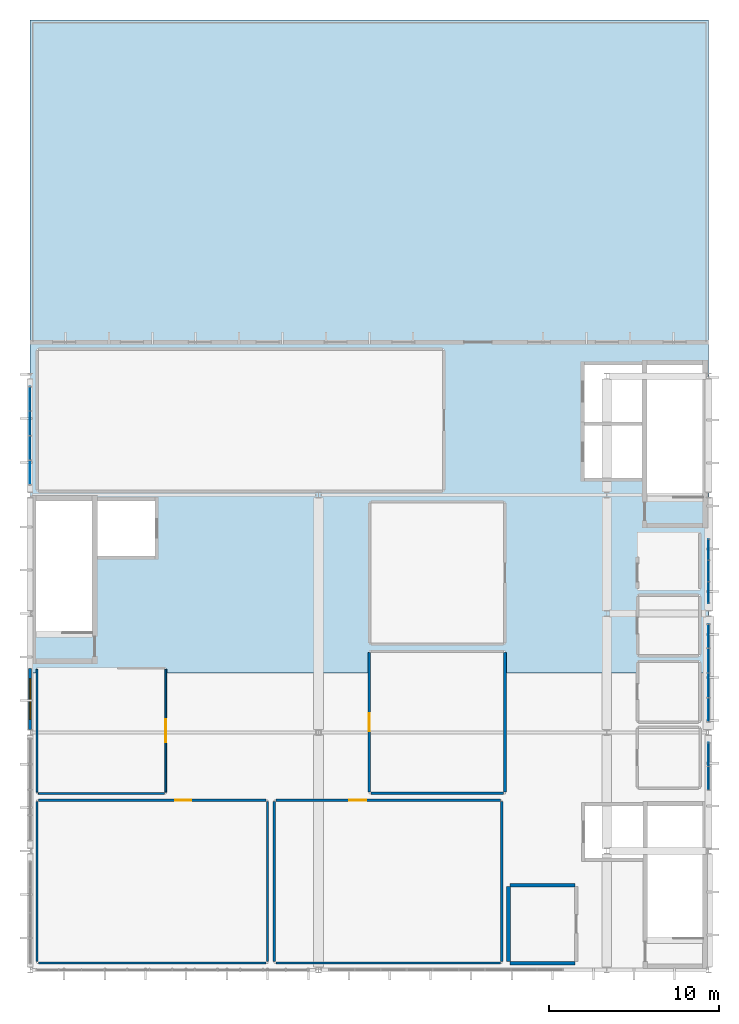
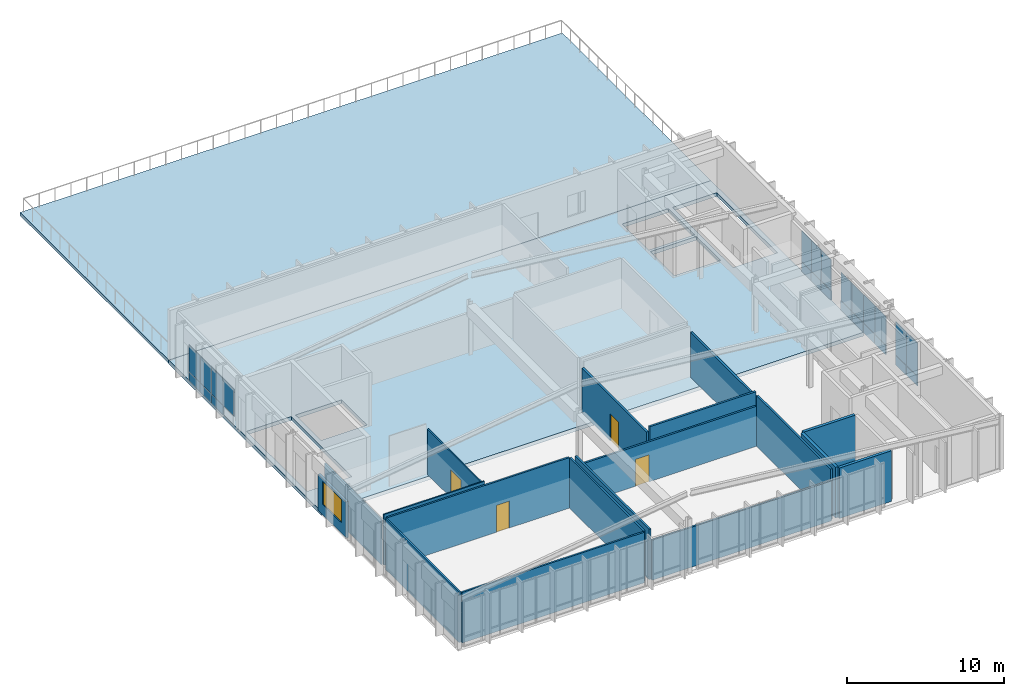
# One storey, part 12 of 16: 25 plates, 18 walls, 4 doors, 2 slabs, 1 window, 5 openings, 4 elements without a shape of their own.
"""IFC4 building model written with IfcOpenShell, lengths in metres."""

from ifc_helpers import new_model, si_unit, direction, frame, frame_2d, origin, origin_2d, place, context, subcontext, project, spatial, polyline, rectangle, outline, extrude, material, layer, layer_set, type_object, element, fill, aggregate, save


model = new_model("IFC4")

# Units and contexts
model_context = context("Model", 3, precision=1e-05, world=origin(), true_north=direction((0.0, 1.0)))
body_context = subcontext(model_context, "Body", "Model", "MODEL_VIEW")
ifc_project = project(units=[si_unit("LENGTHUNIT", "METRE"), si_unit("AREAUNIT", "SQUARE_METRE"), si_unit("VOLUMEUNIT", "CUBIC_METRE"), si_unit("PLANEANGLEUNIT", "RADIAN"), si_unit("MASSUNIT", "GRAM", prefix="KILO")], contexts=[model_context])

# Site, building, storey
site_placement = place(None, origin())
site = spatial("IfcSite", under=ifc_project, at=site_placement, CompositionType="ELEMENT")
building_placement = place(site_placement, origin())
building = spatial("IfcBuilding", under=site, at=building_placement, Name="Larkveld Mobility Hub", CompositionType="ELEMENT")
storey_placement = place(building_placement, frame((0.0, 0.0, 22.800048828125)))
storey = spatial("IfcBuildingStorey", under=building, at=storey_placement, Name="L06", CompositionType="ELEMENT", Elevation=22.800048828125)

# Curtain wall, plates
ifc_material_1 = material(Name="Anodised aluminium 6063-T6", Category="aluminium")
curtain_wall_type_1 = type_object("IfcCurtainWallType", Name="CW-SYS-07", PredefinedType="NOTDEFINED", material=ifc_material_1)
curtain_wall_1_placement = place(storey_placement, origin())
curtain_wall_1 = element("IfcCurtainWall", 1, at=curtain_wall_1_placement, inside=storey, type_object=curtain_wall_type_1, Name="Upper Mobility and Sports East Glazing L06 CW-175", PredefinedType="NOTDEFINED")
ifc_material_2 = material(Name="Low-E laminated solar-control double glazing", Category="glass")
ifc_layer_1 = layer(ifc_material_2, 0.028076171875, Name="Low-E laminated solar-control double glazing", Category="glass")
ifc_layer_set_1 = layer_set([ifc_layer_1], Name="Low-E laminated solar-control double glazing")
plate_type_1 = type_object("IfcPlateType", Name="CW-PNL-GL01", PredefinedType="CURTAIN_PANEL", material=ifc_layer_set_1)
plate_1_placement = place(storey_placement, frame((152.0, 43.3349609375, 0.743896484375), z_axis=(0.0, 0.0, 1.0), x_axis=(0.0, 1.0, 0.0)))
plate_1 = element("IfcPlate", 2, at=plate_1_placement, type_object=plate_type_1, Name="CW07 panel 1", PredefinedType="CURTAIN_PANEL", context=body_context, shape_type="SweptSolid", body=[
    extrude(rectangle(XDim=1.419921875, YDim=0.028076171875, at=origin_2d()), origin(), (0.0, 0.0, 1.0), 2.2041015625),
])
plate_2_placement = place(storey_placement, frame((152.0, 44.77490234375, 0.743896484375), z_axis=(0.0, 0.0, 1.0), x_axis=(0.0, 1.0, 0.0)))
plate_2 = element("IfcPlate", 3, at=plate_2_placement, type_object=plate_type_1, Name="CW07 panel 2", PredefinedType="CURTAIN_PANEL", context=body_context, shape_type="SweptSolid", body=[
    extrude(rectangle(XDim=1.43994140625, YDim=0.028076171875, at=origin_2d()), origin(), (0.0, 0.0, 1.0), 2.2041015625),
])
plate_3_placement = place(storey_placement, frame((152.0, 46.22509765625, 0.743896484375), z_axis=(0.0, 0.0, 1.0), x_axis=(0.0, 1.0, 0.0)))
plate_3 = element("IfcPlate", 4, at=plate_3_placement, type_object=plate_type_1, Name="CW07 panel 3", PredefinedType="CURTAIN_PANEL", context=body_context, shape_type="SweptSolid", body=[
    extrude(rectangle(XDim=1.43994140625, YDim=0.028076171875, at=origin_2d()), origin(), (0.0, 0.0, 1.0), 2.2041015625),
])
plate_4_placement = place(storey_placement, frame((152.0, 47.6650390625, 0.743896484375), z_axis=(0.0, 0.0, 1.0), x_axis=(0.0, 1.0, 0.0)))
plate_4 = element("IfcPlate", 5, at=plate_4_placement, type_object=plate_type_1, Name="CW07 panel 4", PredefinedType="CURTAIN_PANEL", context=body_context, shape_type="SweptSolid", body=[
    extrude(rectangle(XDim=1.419921875, YDim=0.028076171875, at=origin_2d()), origin(), (0.0, 0.0, 1.0), 2.2041015625),
])

curtain_wall_type_2 = type_object("IfcCurtainWallType", Name="CW-SYS-05", PredefinedType="NOTDEFINED", material=ifc_material_1)
curtain_wall_2_placement = place(storey_placement, origin())
curtain_wall_2 = element("IfcCurtainWall", 6, at=curtain_wall_2_placement, inside=storey, type_object=curtain_wall_type_2, Name="EV Wing West Glazing L06 CW-173", PredefinedType="NOTDEFINED")
ifc_material_3 = material(Name="Acoustic solar-control laminated double glazing", Category="glass")
ifc_layer_2 = layer(ifc_material_3, 0.031982421875, Name="Acoustic solar-control laminated double glazing", Category="glass")
ifc_layer_set_2 = layer_set([ifc_layer_2], Name="Acoustic solar-control laminated double glazing")
plate_type_2 = type_object("IfcPlateType", Name="CW-PNL-GL02", PredefinedType="CURTAIN_PANEL", material=ifc_layer_set_2)
plate_5_placement = place(storey_placement, frame((112.0, 61.6630859375, 0.70751953125), z_axis=(0.0, 0.0, 1.0), x_axis=(0.0, -1.0, 0.0)))
plate_5 = element("IfcPlate", 7, at=plate_5_placement, type_object=plate_type_2, Name="CW05 panel 1", PredefinedType="CURTAIN_PANEL", context=body_context, shape_type="SweptSolid", body=[
    extrude(rectangle(XDim=1.425048828125, YDim=0.031982421875, at=origin_2d()), origin(), (0.0, 0.0, 1.0), 2.091064453125),
])
plate_6_placement = place(storey_placement, frame((112.0, 60.218017578125, 0.70751953125), z_axis=(0.0, 0.0, 1.0), x_axis=(0.0, -1.0, 0.0)))
plate_6 = element("IfcPlate", 8, at=plate_6_placement, type_object=plate_type_2, Name="CW05 panel 2", PredefinedType="CURTAIN_PANEL", context=body_context, shape_type="SweptSolid", body=[
    extrude(rectangle(XDim=1.445068359375, YDim=0.031982421875, at=origin_2d()), origin(), (0.0, 0.0, 1.0), 2.091064453125),
])
plate_7_placement = place(storey_placement, frame((112.0, 58.762939453125, 0.70751953125), z_axis=(0.0, 0.0, 1.0), x_axis=(0.0, -1.0, 0.0)))
plate_7 = element("IfcPlate", 9, at=plate_7_placement, type_object=plate_type_2, Name="CW05 panel 3", PredefinedType="CURTAIN_PANEL", context=body_context, shape_type="SweptSolid", body=[
    extrude(rectangle(XDim=1.445068359375, YDim=0.031982421875, at=origin_2d()), origin(), (0.0, 0.0, 1.0), 2.091064453125),
])
plate_8_placement = place(storey_placement, frame((112.0, 57.318115234375, 0.70751953125), z_axis=(0.0, 0.0, 1.0), x_axis=(0.0, -1.0, 0.0)))
plate_8 = element("IfcPlate", 10, at=plate_8_placement, type_object=plate_type_2, Name="CW05 panel 4", PredefinedType="CURTAIN_PANEL", context=body_context, shape_type="SweptSolid", body=[
    extrude(rectangle(XDim=1.425048828125, YDim=0.031982421875, at=origin_2d()), origin(), (0.0, 0.0, 1.0), 2.091064453125),
])

curtain_wall_type_3 = type_object("IfcCurtainWallType", Name="CW-SYS-08", PredefinedType="NOTDEFINED", material=ifc_material_1)
curtain_wall_3_placement = place(storey_placement, origin())
curtain_wall_3 = element("IfcCurtainWall", 11, at=curtain_wall_3_placement, inside=storey, type_object=curtain_wall_type_3, Name="Upper Mobility and Sports East Glazing L06 CW-176", PredefinedType="NOTDEFINED")
plate_9_placement = place(storey_placement, frame((152.0, 50.24609375, 0.75), z_axis=(0.0, 0.0, 1.0), x_axis=(0.0, 1.0, 0.0)))
plate_9 = element("IfcPlate", 12, at=plate_9_placement, type_object=plate_type_2, Name="CW08 panel 1", PredefinedType="CURTAIN_PANEL", context=body_context, shape_type="SweptSolid", body=[
    extrude(rectangle(XDim=1.242919921875, YDim=0.031982421875, at=origin_2d()), origin(), (0.0, 0.0, 1.0), 2.39794921875),
])
plate_10_placement = place(storey_placement, frame((152.0, 51.510009765625, 0.75), z_axis=(0.0, 0.0, 1.0), x_axis=(0.0, 1.0, 0.0)))
plate_10 = element("IfcPlate", 13, at=plate_10_placement, type_object=plate_type_2, Name="CW08 panel 2", PredefinedType="CURTAIN_PANEL", context=body_context, shape_type="SweptSolid", body=[
    extrude(rectangle(XDim=1.262939453125, YDim=0.031982421875, at=origin_2d()), origin(), (0.0, 0.0, 1.0), 2.39794921875),
])
plate_11_placement = place(storey_placement, frame((152.0, 52.77294921875, 0.75), z_axis=(0.0, 0.0, 1.0), x_axis=(0.0, 1.0, 0.0)))
plate_11 = element("IfcPlate", 14, at=plate_11_placement, type_object=plate_type_2, Name="CW08 panel 3", PredefinedType="CURTAIN_PANEL", context=body_context, shape_type="SweptSolid", body=[
    extrude(rectangle(XDim=1.242919921875, YDim=0.031982421875, at=origin_2d()), origin(), (0.0, 0.0, 1.0), 2.39794921875),
])

curtain_wall_type_4 = type_object("IfcCurtainWallType", Name="CW-SYS-06", PredefinedType="NOTDEFINED", material=ifc_material_1)
curtain_wall_4_placement = place(storey_placement, origin())
curtain_wall_4 = element("IfcCurtainWall", 15, at=curtain_wall_4_placement, inside=storey, type_object=curtain_wall_type_4, Name="Upper Mobility and Sports East Glazing L06 CW-174", PredefinedType="NOTDEFINED")
ifc_material_4 = material(Name="Tinted safety double glazing", Category="glass")
ifc_layer_3 = layer(ifc_material_4, 0.035888671875, Name="Tinted safety double glazing", Category="glass")
ifc_layer_set_3 = layer_set([ifc_layer_3], Name="Tinted safety double glazing")
plate_type_3 = type_object("IfcPlateType", Name="CW-PNL-GL03", PredefinedType="CURTAIN_PANEL", material=ifc_layer_set_3)
plate_12_placement = place(storey_placement, frame((152.0, 39.294921875, 0.75), z_axis=(0.0, 0.0, 1.0), x_axis=(0.0, 1.0, 0.0)))
plate_12 = element("IfcPlate", 16, at=plate_12_placement, type_object=plate_type_3, Name="CW06 panel 1", PredefinedType="CURTAIN_PANEL", context=body_context, shape_type="SweptSolid", body=[
    extrude(rectangle(XDim=1.3798828125, YDim=0.035888671875, at=origin_2d()), origin(), (0.0, 0.0, 1.0), 2.597900390625),
])
plate_13_placement = place(storey_placement, frame((152.0, 40.68505859375, 0.75), z_axis=(0.0, 0.0, 1.0), x_axis=(0.0, 1.0, 0.0)))
plate_13 = element("IfcPlate", 17, at=plate_13_placement, type_object=plate_type_3, Name="CW06 panel 2", PredefinedType="CURTAIN_PANEL", context=body_context, shape_type="SweptSolid", body=[
    extrude(rectangle(XDim=1.3798828125, YDim=0.035888671875, at=origin_2d()), origin(), (0.0, 0.0, 1.0), 2.597900390625),
])

# Plate
ifc_material_5 = material(Name="Insulated fluoropolymer aluminium spandrel", Category="aluminium")
ifc_layer_4 = layer(ifc_material_5, 0.06494140625, Name="Insulated fluoropolymer aluminium spandrel", Category="aluminium")
ifc_layer_set_4 = layer_set([ifc_layer_4], Name="Insulated fluoropolymer aluminium spandrel")
plate_type_4 = type_object("IfcPlateType", Name="CW-PNL-SP01", PredefinedType="CURTAIN_PANEL", material=ifc_layer_set_4)
plate_14_placement = place(storey_placement, frame((112.0, 61.6630859375, 0.00048828125), z_axis=(0.0, 0.0, 1.0), x_axis=(0.0, -1.0, 0.0)))
plate_14 = element("IfcPlate", 18, at=plate_14_placement, type_object=plate_type_4, Name="CW05 spandrel 1", PredefinedType="CURTAIN_PANEL", context=body_context, shape_type="SweptSolid", body=[
    extrude(rectangle(XDim=1.425048828125, YDim=0.06494140625, at=origin_2d()), origin(), (0.0, 0.0, 1.0), 0.695068359375),
])

plate_15_placement = place(storey_placement, frame((112.0, 60.218017578125, 0.00048828125), z_axis=(0.0, 0.0, 1.0), x_axis=(0.0, -1.0, 0.0)))
plate_15 = element("IfcPlate", 19, at=plate_15_placement, type_object=plate_type_4, Name="CW05 spandrel 2", PredefinedType="CURTAIN_PANEL", context=body_context, shape_type="SweptSolid", body=[
    extrude(rectangle(XDim=1.445068359375, YDim=0.06494140625, at=origin_2d()), origin(), (0.0, 0.0, 1.0), 0.695068359375),
])

plate_16_placement = place(storey_placement, frame((112.0, 58.762939453125, 0.00048828125), z_axis=(0.0, 0.0, 1.0), x_axis=(0.0, -1.0, 0.0)))
plate_16 = element("IfcPlate", 20, at=plate_16_placement, type_object=plate_type_4, Name="CW05 spandrel 3", PredefinedType="CURTAIN_PANEL", context=body_context, shape_type="SweptSolid", body=[
    extrude(rectangle(XDim=1.445068359375, YDim=0.06494140625, at=origin_2d()), origin(), (0.0, 0.0, 1.0), 0.695068359375),
])

aggregate(curtain_wall_2, [plate_14, plate_5, plate_15, plate_6, plate_16, plate_7, plate_8])

plate_17_placement = place(storey_placement, frame((152.0, 43.3349609375, -0.00048828125), z_axis=(0.0, 0.0, 1.0), x_axis=(0.0, 1.0, 0.0)))
plate_17 = element("IfcPlate", 21, at=plate_17_placement, type_object=plate_type_4, Name="CW07 spandrel 1", PredefinedType="CURTAIN_PANEL", context=body_context, shape_type="SweptSolid", body=[
    extrude(rectangle(XDim=1.419921875, YDim=0.06494140625, at=origin_2d()), origin(), (0.0, 0.0, 1.0), 0.73291015625),
])

plate_18_placement = place(storey_placement, frame((152.0, 44.77490234375, -0.00048828125), z_axis=(0.0, 0.0, 1.0), x_axis=(0.0, 1.0, 0.0)))
plate_18 = element("IfcPlate", 22, at=plate_18_placement, type_object=plate_type_4, Name="CW07 spandrel 2", PredefinedType="CURTAIN_PANEL", context=body_context, shape_type="SweptSolid", body=[
    extrude(rectangle(XDim=1.43994140625, YDim=0.06494140625, at=origin_2d()), origin(), (0.0, 0.0, 1.0), 0.73291015625),
])

plate_19_placement = place(storey_placement, frame((152.0, 46.22509765625, -0.00048828125), z_axis=(0.0, 0.0, 1.0), x_axis=(0.0, 1.0, 0.0)))
plate_19 = element("IfcPlate", 23, at=plate_19_placement, type_object=plate_type_4, Name="CW07 spandrel 3", PredefinedType="CURTAIN_PANEL", context=body_context, shape_type="SweptSolid", body=[
    extrude(rectangle(XDim=1.43994140625, YDim=0.06494140625, at=origin_2d()), origin(), (0.0, 0.0, 1.0), 0.73291015625),
])

plate_20_placement = place(storey_placement, frame((152.0, 47.6650390625, -0.00048828125), z_axis=(0.0, 0.0, 1.0), x_axis=(0.0, 1.0, 0.0)))
plate_20 = element("IfcPlate", 24, at=plate_20_placement, type_object=plate_type_4, Name="CW07 spandrel 4", PredefinedType="CURTAIN_PANEL", context=body_context, shape_type="SweptSolid", body=[
    extrude(rectangle(XDim=1.419921875, YDim=0.06494140625, at=origin_2d()), origin(), (0.0, 0.0, 1.0), 0.73291015625),
])

aggregate(curtain_wall_1, [plate_17, plate_1, plate_18, plate_2, plate_19, plate_3, plate_20, plate_4])

ifc_material_6 = material(Name="Insulated terracotta-toned aluminium spandrel", Category="masonry")
ifc_layer_5 = layer(ifc_material_6, 0.080078125, Name="Insulated terracotta-toned aluminium spandrel", Category="masonry")
ifc_layer_set_5 = layer_set([ifc_layer_5], Name="Insulated terracotta-toned aluminium spandrel")
plate_type_5 = type_object("IfcPlateType", Name="CW-PNL-SP02", PredefinedType="CURTAIN_PANEL", material=ifc_layer_set_5)
plate_21_placement = place(storey_placement, frame((152.0, 39.294921875, 0.0), z_axis=(0.0, 0.0, 1.0), x_axis=(0.0, 1.0, 0.0)))
plate_21 = element("IfcPlate", 25, at=plate_21_placement, type_object=plate_type_5, Name="CW06 spandrel 1", PredefinedType="CURTAIN_PANEL", context=body_context, shape_type="SweptSolid", body=[
    extrude(rectangle(XDim=1.3798828125, YDim=0.080078125, at=origin_2d()), origin(), (0.0, 0.0, 1.0), 0.738037109375),
])

plate_22_placement = place(storey_placement, frame((152.0, 40.68505859375, 0.0), z_axis=(0.0, 0.0, 1.0), x_axis=(0.0, 1.0, 0.0)))
plate_22 = element("IfcPlate", 26, at=plate_22_placement, type_object=plate_type_5, Name="CW06 spandrel 2", PredefinedType="CURTAIN_PANEL", context=body_context, shape_type="SweptSolid", body=[
    extrude(rectangle(XDim=1.3798828125, YDim=0.080078125, at=origin_2d()), origin(), (0.0, 0.0, 1.0), 0.738037109375),
])

aggregate(curtain_wall_4, [plate_21, plate_12, plate_22, plate_13])

plate_23_placement = place(storey_placement, frame((152.0, 50.24609375, 0.0), z_axis=(0.0, 0.0, 1.0), x_axis=(0.0, 1.0, 0.0)))
plate_23 = element("IfcPlate", 27, at=plate_23_placement, type_object=plate_type_5, Name="CW08 spandrel 1", PredefinedType="CURTAIN_PANEL", context=body_context, shape_type="SweptSolid", body=[
    extrude(rectangle(XDim=1.242919921875, YDim=0.080078125, at=origin_2d()), origin(), (0.0, 0.0, 1.0), 0.738037109375),
])

plate_24_placement = place(storey_placement, frame((152.0, 51.510009765625, 0.0), z_axis=(0.0, 0.0, 1.0), x_axis=(0.0, 1.0, 0.0)))
plate_24 = element("IfcPlate", 28, at=plate_24_placement, type_object=plate_type_5, Name="CW08 spandrel 2", PredefinedType="CURTAIN_PANEL", context=body_context, shape_type="SweptSolid", body=[
    extrude(rectangle(XDim=1.262939453125, YDim=0.080078125, at=origin_2d()), origin(), (0.0, 0.0, 1.0), 0.738037109375),
])

plate_25_placement = place(storey_placement, frame((152.0, 52.77294921875, 0.0), z_axis=(0.0, 0.0, 1.0), x_axis=(0.0, 1.0, 0.0)))
plate_25 = element("IfcPlate", 29, at=plate_25_placement, type_object=plate_type_5, Name="CW08 spandrel 3", PredefinedType="CURTAIN_PANEL", context=body_context, shape_type="SweptSolid", body=[
    extrude(rectangle(XDim=1.242919921875, YDim=0.080078125, at=origin_2d()), origin(), (0.0, 0.0, 1.0), 0.738037109375),
])

aggregate(curtain_wall_3, [plate_23, plate_9, plate_24, plate_10, plate_25, plate_11])

# Slabs
ifc_material_7 = material(Name="Concrete C40/50", Category="concrete")
ifc_layer_6 = layer(ifc_material_7, 0.2900390625, Name="Concrete C40/50", Category="concrete")
ifc_layer_set_6 = layer_set([ifc_layer_6], Name="Concrete C40/50")
slab_type_1 = type_object("IfcSlabType", Name="SL-FLR-290", PredefinedType="FLOOR", material=ifc_layer_set_6)
slab_1_placement = place(storey_placement, frame((0.0, 0.0, -0.2900390625)))
element("IfcSlab", 30, at=slab_1_placement, inside=storey, type_object=slab_type_1, Name="EV Wing and Sports Pavilion Slab L06-154", PredefinedType="FLOOR", context=body_context, shape_type="SweptSolid", body=[
    extrude(outline(polyline([(112.0, 45.5), (152.0, 45.5), (152.0, 65.0), (112.0, 65.0), (112.0, 45.5)]), holes=[polyline([(148.3798828125, 55.909912109375), (148.3798828125, 63.64990234375), (151.64990234375, 63.64990234375), (151.64990234375, 55.909912109375), (148.3798828125, 55.909912109375)]), polyline([(144.679931640625, 60.300048828125), (144.679931640625, 63.64990234375), (148.080078125, 63.64990234375), (148.080078125, 60.300048828125), (144.679931640625, 60.300048828125)]), polyline([(144.679931640625, 57.0), (144.679931640625, 60.080078125), (148.080078125, 60.080078125), (148.080078125, 57.0), (144.679931640625, 57.0)]), polyline([(112.35009765625, 47.919921875), (112.35009765625, 55.64990234375), (115.639892578125, 55.64990234375), (115.639892578125, 47.919921875), (112.35009765625, 47.919921875)]), polyline([(115.9599609375, 52.39990234375), (115.9599609375, 55.64990234375), (119.360107421875, 55.64990234375), (119.360107421875, 52.39990234375), (115.9599609375, 52.39990234375)])]), origin(), (0.0, 0.0, 1.0), 0.2900390625),
])
ifc_layer_7 = layer(ifc_material_7, 0.2451171875, Name="Concrete C40/50", Category="concrete")
ifc_layer_set_7 = layer_set([ifc_layer_7], Name="Concrete C40/50")
slab_type_2 = type_object("IfcSlabType", Name="SL-VER-245", PredefinedType="FLOOR", material=ifc_layer_set_7)
slab_2_placement = place(storey_placement, frame((0.0, 0.0, -0.2451171875)))
element("IfcSlab", 31, at=slab_2_placement, inside=storey, type_object=slab_type_2, Name="Stepped North Terrace and Veranda Slab L06-155", PredefinedType="FLOOR", context=body_context, shape_type="SweptSolid", body=[
    extrude(outline(polyline([(112.0, 65.0), (152.0, 65.0), (152.0, 84.0), (112.0, 84.0), (112.0, 65.0)])), origin(), (0.0, 0.0, 1.0), 0.2451171875),
])

# Wall, opening, window
ifc_material_8 = material(Name="Glazed architectural ceramic masonry 20 MPa", Category="masonry")
ifc_layer_8 = layer(ifc_material_8, 0.179931640625, Name="Glazed architectural ceramic masonry 20 MPa", Category="masonry")
ifc_layer_set_8 = layer_set([ifc_layer_8], Name="Glazed architectural ceramic masonry 20 MPa")
wall_type_1 = type_object("IfcWallType", Name="WL-COB-180", PredefinedType="USERDEFINED", material=ifc_layer_set_8)
wall_1_placement = place(storey_placement, frame((112.0, 45.77001953125, 0.0), z_axis=(0.0, 0.0, 1.0), x_axis=(0.0, -1.0, 0.0)))
wall_1 = element("IfcWall", 32, at=wall_1_placement, inside=storey, type_object=wall_type_1, Name="EV Wing West Ventilated Facade L06-0245", ObjectType="CERAMIC COBOGO SCREEN", PredefinedType="USERDEFINED", context=body_context, shape_type="SweptSolid", body=[
    extrude(rectangle(XDim=3.60009765625, YDim=0.179931640625, at=frame_2d((1.800048828125, 0.0))), origin(), (0.0, 0.0, 1.0), 2.81494140625),
])
opening_1_placement = place(wall_1_placement, frame((0.60009765625, 0.0, 0.81494140625)))
opening_1 = element("IfcOpeningElement", 33, at=opening_1_placement, cuts=wall_1, Name="Opening W14", PredefinedType="OPENING", context=body_context, shape_type="SweptSolid", body=[
    extrude(rectangle(XDim=2.39990234375, YDim=1.800048828125, at=frame_2d((1.199951171875, 0.89990234375))), frame((0.0, 0.10009765625, 0.0), z_axis=(0.0, -1.0, 0.0), x_axis=(1.0, 0.0, 0.0)), (0.0, 0.0, 1.0), 0.199951171875),
])
ifc_material_9 = material(Name="Low-E double glazing in aluminium frame", Category="aluminium")
window_type = type_object("IfcWindowType", Name="WN-ALU-14", PartitioningType="SINGLE_PANEL", PredefinedType="WINDOW", material=ifc_material_9)
window_placement = place(opening_1_placement, origin())
window = element("IfcWindow", 34, at=window_placement, inside=storey, type_object=window_type, Name="Window W14 (1064)", OverallHeight=1.800048828125, OverallWidth=2.39990234375, PartitioningType="SINGLE_PANEL", PredefinedType="WINDOW", context=body_context, shape_type="SweptSolid", body=[
    extrude(rectangle(XDim=2.39990234375, YDim=1.800048828125, at=frame_2d((1.199951171875, 0.89990234375))), frame((0.0, 0.030029296875, 0.0), z_axis=(0.0, -1.0, 0.0), x_axis=(1.0, 0.0, 0.0)), (0.0, 0.0, 1.0), 0.06005859375),
])
fill(opening_1, window)

# Walls
ifc_material_10 = material(Name="Concrete blockwork masonry 14 MPa", Category="masonry")
ifc_layer_9 = layer(ifc_material_10, 0.10009765625, Name="Concrete blockwork masonry 14 MPa", Category="masonry")
ifc_layer_set_9 = layer_set([ifc_layer_9], Name="Concrete blockwork masonry 14 MPa")
wall_type_2 = type_object("IfcWallType", Name="WL-PRT-100", PredefinedType="PARTITIONING", material=ifc_layer_set_9)
wall_2_placement = place(storey_placement, frame((112.47998046875, 38.39990234375, 0.0), z_axis=(0.0, 0.0, 1.0), x_axis=(1.0, 0.0, 0.0)))
element("IfcWall", 35, at=wall_2_placement, inside=storey, type_object=wall_type_2, Name="Sports Medicine and Rehabilitation Clinic Partition 0309", PredefinedType="PARTITIONING", context=body_context, shape_type="SweptSolid", body=[
    extrude(rectangle(XDim=7.43408203125, YDim=0.10009765625, at=frame_2d((3.717041015625, 0.0))), origin(), (0.0, 0.0, 1.0), 3.945068359375),
])
wall_3_placement = place(storey_placement, frame((112.39990234375, 38.47998046875, 0.0), z_axis=(0.0, 0.0, 1.0), x_axis=(0.0, 1.0, 0.0)))
element("IfcWall", 36, at=wall_3_placement, inside=storey, type_object=wall_type_2, Name="Sports Medicine and Rehabilitation Clinic Partition 0311", PredefinedType="PARTITIONING", context=body_context, shape_type="SweptSolid", body=[
    extrude(rectangle(XDim=7.234130859375, YDim=0.10009765625, at=frame_2d((3.6171875, 0.0))), origin(), (0.0, 0.0, 1.0), 3.544921875),
])

# Wall, opening, door
wall_4_placement = place(storey_placement, frame((119.993896484375, 38.47998046875, 0.0), z_axis=(0.0, 0.0, 1.0), x_axis=(0.0, 1.0, 0.0)))
wall_4 = element("IfcWall", 37, at=wall_4_placement, inside=storey, type_object=wall_type_2, Name="Sports Medicine and Rehabilitation Clinic Partition 0312", PredefinedType="PARTITIONING", context=body_context, shape_type="SweptSolid", body=[
    extrude(rectangle(XDim=7.234130859375, YDim=0.10009765625, at=frame_2d((3.6171875, 0.0))), origin(), (0.0, 0.0, 1.0), 3.544921875),
])
opening_2_placement = place(wall_4_placement, frame((2.94189453125, 0.0, 0.0)))
opening_2 = element("IfcOpeningElement", 38, at=opening_2_placement, cuts=wall_4, Name="Opening DI07", PredefinedType="OPENING", context=body_context, shape_type="SweptSolid", body=[
    extrude(rectangle(XDim=1.35009765625, YDim=2.14990234375, at=frame_2d((0.675048828125, 1.074951171875))), frame((0.0, 0.06005859375, 0.0), z_axis=(0.0, -1.0, 0.0), x_axis=(1.0, 0.0, 0.0)), (0.0, 0.0, 1.0), 0.1201171875),
])
ifc_material_11 = material(Name="Solid-core hardwood timber door in aluminium frame", Category="wood")
door_type_1 = type_object("IfcDoorType", Name="DR-INT-135", OperationType="NOTDEFINED", PredefinedType="DOOR", material=ifc_material_11)
door_1_placement = place(opening_2_placement, origin())
door_1 = element("IfcDoor", 39, at=door_1_placement, inside=storey, type_object=door_type_1, Name="Sports Medicine and Rehabilitation Clinic Door 0079", OperationType="SINGLE_SWING_RIGHT", OverallHeight=2.14990234375, OverallWidth=1.35009765625, PredefinedType="DOOR", context=body_context, shape_type="SweptSolid", body=[
    extrude(rectangle(XDim=1.35009765625, YDim=2.14990234375, at=frame_2d((0.675048828125, 1.074951171875))), frame((0.0, 0.02490234375, 0.0), z_axis=(0.0, -1.0, 0.0), x_axis=(1.0, 0.0, 0.0)), (0.0, 0.0, 1.0), 0.050048828125),
])
fill(opening_2, door_1)

# Wall
ifc_layer_10 = layer(ifc_material_10, 0.1298828125, Name="Concrete blockwork masonry 14 MPa", Category="masonry")
ifc_layer_set_10 = layer_set([ifc_layer_10], Name="Concrete blockwork masonry 14 MPa")
wall_type_3 = type_object("IfcWallType", Name="WL-PRT-130", PredefinedType="PARTITIONING", material=ifc_layer_set_10)
wall_5_placement = place(storey_placement, frame((112.47998046875, 28.39990234375, 0.0), z_axis=(0.0, 0.0, 1.0), x_axis=(1.0, 0.0, 0.0)))
element("IfcWall", 40, at=wall_5_placement, inside=storey, type_object=wall_type_3, Name="Host Squad Changing and Shower Room Partition 0289", PredefinedType="PARTITIONING", context=body_context, shape_type="SweptSolid", body=[
    extrude(rectangle(XDim=13.43701171875, YDim=0.1298828125, at=frame_2d((6.718505859375, 0.0))), origin(), (0.0, 0.0, 1.0), 3.945068359375),
])

# Wall, opening, door
wall_6_placement = place(storey_placement, frame((112.47998046875, 37.9970703125, 0.0), z_axis=(0.0, 0.0, 1.0), x_axis=(1.0, 0.0, 0.0)))
wall_6 = element("IfcWall", 41, at=wall_6_placement, inside=storey, type_object=wall_type_3, Name="Host Squad Changing and Shower Room Partition 0290", PredefinedType="PARTITIONING", context=body_context, shape_type="SweptSolid", body=[
    extrude(rectangle(XDim=13.43701171875, YDim=0.1298828125, at=frame_2d((6.718505859375, 0.0))), origin(), (0.0, 0.0, 1.0), 3.945068359375),
])
opening_3_placement = place(wall_6_placement, frame((8.072021484375, 0.0, 0.0)))
opening_3 = element("IfcOpeningElement", 42, at=opening_3_placement, cuts=wall_6, Name="Opening DI02", PredefinedType="OPENING", context=body_context, shape_type="SweptSolid", body=[
    extrude(rectangle(XDim=0.949951171875, YDim=2.10009765625, at=frame_2d((0.47509765625, 1.050048828125))), frame((0.0, 0.074951171875, 0.0), z_axis=(0.0, -1.0, 0.0), x_axis=(1.0, 0.0, 0.0)), (0.0, 0.0, 1.0), 0.14990234375),
])
door_type_2 = type_object("IfcDoorType", Name="DR-INT-095", OperationType="NOTDEFINED", PredefinedType="DOOR", material=ifc_material_11)
door_2_placement = place(opening_3_placement, origin())
door_2 = element("IfcDoor", 43, at=door_2_placement, inside=storey, type_object=door_type_2, Name="Host Squad Changing and Shower Room Door 0074", OperationType="SINGLE_SWING_LEFT", OverallHeight=2.10009765625, OverallWidth=0.949951171875, PredefinedType="DOOR", context=body_context, shape_type="SweptSolid", body=[
    extrude(rectangle(XDim=0.949951171875, YDim=2.10009765625, at=frame_2d((0.47509765625, 1.050048828125))), frame((0.0, 0.02490234375, 0.0), z_axis=(0.0, -1.0, 0.0), x_axis=(1.0, 0.0, 0.0)), (0.0, 0.0, 1.0), 0.050048828125),
])
fill(opening_3, door_2)

# Walls
for number, where, z_axis, x_axis, name in (
    (44, (112.39990234375, 28.47998046875, 0.0), (0.0, 0.0, 1.0), (0.0, 1.0, 0.0), "Host Squad Changing and Shower Room Partition 0291"),
    (45, (125.9970703125, 28.47998046875, 0.0), (0.0, 0.0, 1.0), (0.0, 1.0, 0.0), "Host Squad Changing and Shower Room Partition 0292"),
):
    element("IfcWall", number, at=place(storey_placement, frame(where, z_axis=z_axis, x_axis=x_axis)), inside=storey, type_object=wall_type_3, Name=name, PredefinedType="PARTITIONING", context=body_context, shape_type="SweptSolid", body=[
        extrude(rectangle(XDim=9.43701171875, YDim=0.1298828125, at=frame_2d((4.718505859375, 0.0))), origin(), (0.0, 0.0, 1.0), 3.945068359375),
    ])
ifc_layer_11 = layer(ifc_material_10, 0.139892578125, Name="Concrete blockwork masonry 14 MPa", Category="masonry")
ifc_layer_set_11 = layer_set([ifc_layer_11], Name="Concrete blockwork masonry 14 MPa")
wall_type_4 = type_object("IfcWallType", Name="WL-PRT-140", PredefinedType="PARTITIONING", material=ifc_layer_set_11)
wall_7_placement = place(storey_placement, frame((126.47998046875, 28.39990234375, 0.0), z_axis=(0.0, 0.0, 1.0), x_axis=(1.0, 0.0, 0.0)))
element("IfcWall", 46, at=wall_7_placement, inside=storey, type_object=wall_type_4, Name="Visiting Team Changing and Shower Room Partition 0293", PredefinedType="PARTITIONING", context=body_context, shape_type="SweptSolid", body=[
    extrude(rectangle(XDim=13.237060546875, YDim=0.139892578125, at=frame_2d((6.61865234375, 0.0))), origin(), (0.0, 0.0, 1.0), 3.114990234375),
])

# Wall, opening, door
wall_8_placement = place(storey_placement, frame((126.47998046875, 37.9970703125, 0.0), z_axis=(0.0, 0.0, 1.0), x_axis=(1.0, 0.0, 0.0)))
wall_8 = element("IfcWall", 47, at=wall_8_placement, inside=storey, type_object=wall_type_4, Name="Visiting Team Changing and Shower Room Partition 0294", PredefinedType="PARTITIONING", context=body_context, shape_type="SweptSolid", body=[
    extrude(rectangle(XDim=13.237060546875, YDim=0.139892578125, at=frame_2d((6.61865234375, 0.0))), origin(), (0.0, 0.0, 1.0), 3.114990234375),
])
opening_4_placement = place(wall_8_placement, frame((4.327880859375, 0.0, 0.0)))
opening_4 = element("IfcOpeningElement", 48, at=opening_4_placement, cuts=wall_8, Name="Opening DI03", PredefinedType="OPENING", context=body_context, shape_type="SweptSolid", body=[
    extrude(rectangle(XDim=1.0, YDim=2.10009765625, at=frame_2d((0.5, 1.050048828125))), frame((0.0, 0.080078125, 0.0), z_axis=(0.0, -1.0, 0.0), x_axis=(1.0, 0.0, 0.0)), (0.0, 0.0, 1.0), 0.159912109375),
])
door_type_3 = type_object("IfcDoorType", Name="DR-INT-100", OperationType="NOTDEFINED", PredefinedType="DOOR", material=ifc_material_11)
door_3_placement = place(opening_4_placement, origin())
door_3 = element("IfcDoor", 49, at=door_3_placement, inside=storey, type_object=door_type_3, Name="Visiting Team Changing and Shower Room Door 0075", OperationType="SINGLE_SWING_RIGHT", OverallHeight=2.10009765625, OverallWidth=1.0, PredefinedType="DOOR", context=body_context, shape_type="SweptSolid", body=[
    extrude(rectangle(XDim=1.0, YDim=2.10009765625, at=frame_2d((0.5, 1.050048828125))), frame((0.0, 0.02490234375, 0.0), z_axis=(0.0, -1.0, 0.0), x_axis=(1.0, 0.0, 0.0)), (0.0, 0.0, 1.0), 0.050048828125),
])
fill(opening_4, door_3)

# Walls
for number, where, z_axis, x_axis, name in (
    (50, (126.39990234375, 28.47998046875, 0.0), (0.0, 0.0, 1.0), (0.0, 1.0, 0.0), "Visiting Team Changing and Shower Room Partition 0295"),
    (51, (139.797119140625, 28.47998046875, 0.0), (0.0, 0.0, 1.0), (0.0, 1.0, 0.0), "Visiting Team Changing and Shower Room Partition 0296"),
):
    element("IfcWall", number, at=place(storey_placement, frame(where, z_axis=z_axis, x_axis=x_axis)), inside=storey, type_object=wall_type_4, Name=name, PredefinedType="PARTITIONING", context=body_context, shape_type="SweptSolid", body=[
        extrude(rectangle(XDim=9.43701171875, YDim=0.139892578125, at=frame_2d((4.718505859375, 0.0))), origin(), (0.0, 0.0, 1.0), 3.945068359375),
    ])
ifc_layer_12 = layer(ifc_material_10, 0.14990234375, Name="Concrete blockwork masonry 14 MPa", Category="masonry")
ifc_layer_set_12 = layer_set([ifc_layer_12], Name="Concrete blockwork masonry 14 MPa")
wall_type_5 = type_object("IfcWallType", Name="WL-PRT-150", PredefinedType="PARTITIONING", material=ifc_layer_set_12)
wall_9_placement = place(storey_placement, frame((132.080078125, 38.39990234375, 0.0), z_axis=(0.0, 0.0, 1.0), x_axis=(1.0, 0.0, 0.0)))
element("IfcWall", 52, at=wall_9_placement, inside=storey, type_object=wall_type_5, Name="Match Officials Changing Room and Office Partition 0297", PredefinedType="PARTITIONING", context=body_context, shape_type="SweptSolid", body=[
    extrude(rectangle(XDim=7.833984375, YDim=0.14990234375, at=frame_2d((3.9169921875, 0.0))), origin(), (0.0, 0.0, 1.0), 3.945068359375),
])

# Wall, opening, door
wall_10_placement = place(storey_placement, frame((132.0, 38.47998046875, 0.0), z_axis=(0.0, 0.0, 1.0), x_axis=(0.0, 1.0, 0.0)))
wall_10 = element("IfcWall", 53, at=wall_10_placement, inside=storey, type_object=wall_type_5, Name="Match Officials Changing Room and Office Partition 0299", PredefinedType="PARTITIONING", context=body_context, shape_type="SweptSolid", body=[
    extrude(rectangle(XDim=8.234130859375, YDim=0.14990234375, at=frame_2d((4.1171875, 0.0))), origin(), (0.0, 0.0, 1.0), 3.494873046875),
])
opening_5_placement = place(wall_10_placement, frame((3.592041015625, 0.0, 0.0)))
opening_5 = element("IfcOpeningElement", 54, at=opening_5_placement, cuts=wall_10, Name="Opening DI04", PredefinedType="OPENING", context=body_context, shape_type="SweptSolid", body=[
    extrude(rectangle(XDim=1.050048828125, YDim=2.10009765625, at=frame_2d((0.52490234375, 1.050048828125))), frame((0.0, 0.0849609375, 0.0), z_axis=(0.0, -1.0, 0.0), x_axis=(1.0, 0.0, 0.0)), (0.0, 0.0, 1.0), 0.169921875),
])
door_type_4 = type_object("IfcDoorType", Name="DR-INT-105", OperationType="NOTDEFINED", PredefinedType="DOOR", material=ifc_material_11)
door_4_placement = place(opening_5_placement, origin())
door_4 = element("IfcDoor", 55, at=door_4_placement, inside=storey, type_object=door_type_4, Name="Match Officials Changing Room and Office Door 0076", OperationType="SINGLE_SWING_LEFT", OverallHeight=2.10009765625, OverallWidth=1.050048828125, PredefinedType="DOOR", context=body_context, shape_type="SweptSolid", body=[
    extrude(rectangle(XDim=1.050048828125, YDim=2.10009765625, at=frame_2d((0.52490234375, 1.050048828125))), frame((0.0, 0.02490234375, 0.0), z_axis=(0.0, -1.0, 0.0), x_axis=(1.0, 0.0, 0.0)), (0.0, 0.0, 1.0), 0.050048828125),
])
fill(opening_5, door_4)

# Walls
wall_11_placement = place(storey_placement, frame((139.993896484375, 38.47998046875, 0.0), z_axis=(0.0, 0.0, 1.0), x_axis=(0.0, 1.0, 0.0)))
element("IfcWall", 56, at=wall_11_placement, inside=storey, type_object=wall_type_5, Name="Match Officials Changing Room and Office Partition 0300", PredefinedType="PARTITIONING", context=body_context, shape_type="SweptSolid", body=[
    extrude(rectangle(XDim=8.234130859375, YDim=0.14990234375, at=frame_2d((4.1171875, 0.0))), origin(), (0.0, 0.0, 1.0), 3.494873046875),
])
ifc_layer_13 = layer(ifc_material_10, 0.2099609375, Name="Concrete blockwork masonry 14 MPa", Category="masonry")
ifc_layer_set_13 = layer_set([ifc_layer_13], Name="Concrete blockwork masonry 14 MPa")
wall_type_6 = type_object("IfcWallType", Name="WL-PRT-210", PredefinedType="PARTITIONING", material=ifc_layer_set_13)
for number, where, z_axis, x_axis, name in (
    (57, (140.280029296875, 28.39990234375, 0.0), (0.0, 0.0, 1.0), (1.0, 0.0, 0.0), "Pavilion Heat-Recovery Ventilation Plant Room Partition 0313"),
    (58, (140.280029296875, 32.9951171875, 0.0), (0.0, 0.0, 1.0), (1.0, 0.0, 0.0), "Pavilion Heat-Recovery Ventilation Plant Room Partition 0314"),
):
    element("IfcWall", number, at=place(storey_placement, frame(where, z_axis=z_axis, x_axis=x_axis)), inside=storey, type_object=wall_type_6, Name=name, PredefinedType="PARTITIONING", context=body_context, shape_type="SweptSolid", body=[
        extrude(rectangle(XDim=3.8349609375, YDim=0.2099609375, at=frame_2d((1.91748046875, 0.0))), origin(), (0.0, 0.0, 1.0), 3.945068359375),
    ])
wall_12_placement = place(storey_placement, frame((140.199951171875, 28.47998046875, 0.0), z_axis=(0.0, 0.0, 1.0), x_axis=(0.0, 1.0, 0.0)))
element("IfcWall", 59, at=wall_12_placement, inside=storey, type_object=wall_type_6, Name="Pavilion Heat-Recovery Ventilation Plant Room Partition 0315", PredefinedType="PARTITIONING", context=body_context, shape_type="SweptSolid", body=[
    extrude(rectangle(XDim=4.43505859375, YDim=0.2099609375, at=frame_2d((2.217529296875, 0.0))), origin(), (0.0, 0.0, 1.0), 3.945068359375),
])

save(model, "model.ifc")
